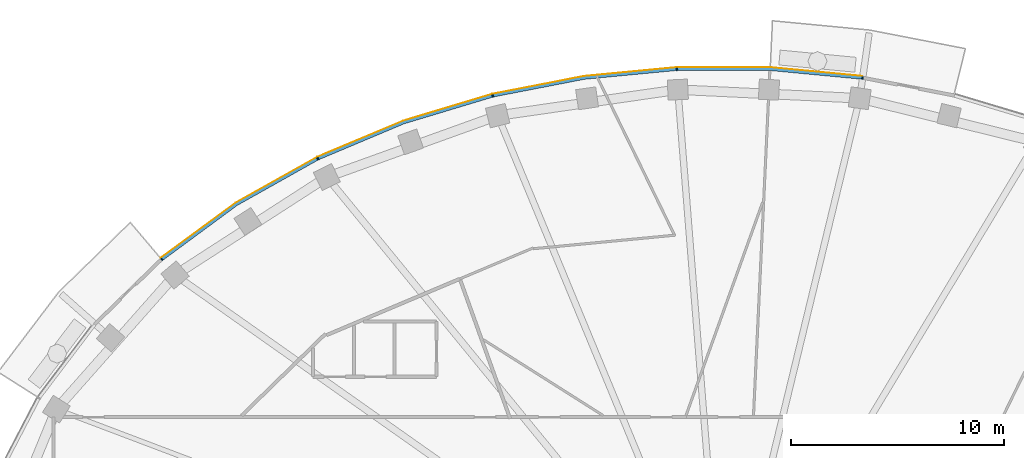
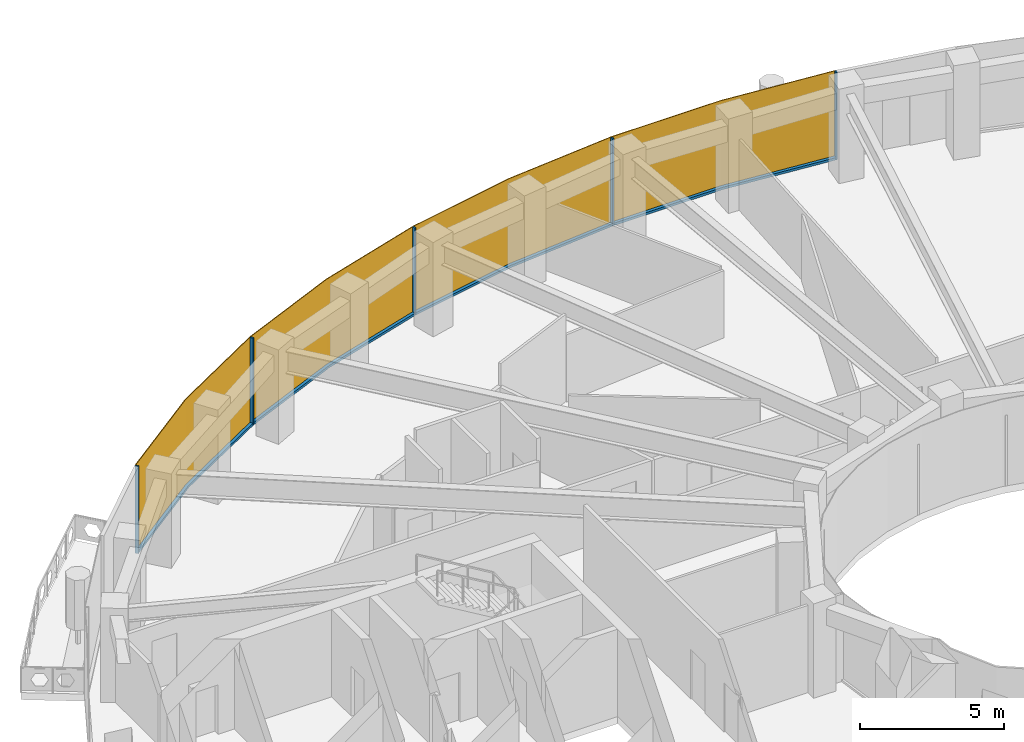
# One storey, part 11 of 16: 9 members, 1 curtain wall.
"""IFC4 building model written with IfcOpenShell, lengths in metres."""

from ifc_helpers import new_model, si_unit, direction, frame, origin, origin_2d, place, context, subcontext, project, spatial, polyline, rectangle, outline, extrude, material, layer, layer_set, material_profile, profile_set, type_object, element, aggregate, save


model = new_model("IFC4")

# Units and contexts
model_context = context("Model", 3, precision=1e-05, world=origin(), true_north=direction((0.0, 1.0)))
body_context = subcontext(model_context, "Body", "Model", "MODEL_VIEW")
ifc_project = project(units=[si_unit("LENGTHUNIT", "METRE"), si_unit("AREAUNIT", "SQUARE_METRE"), si_unit("VOLUMEUNIT", "CUBIC_METRE"), si_unit("PLANEANGLEUNIT", "RADIAN"), si_unit("MASSUNIT", "GRAM", prefix="KILO")], contexts=[model_context])

# Member
ifc_material_1 = material(Name="Aluminium 6063-T6 black anodised", Category="aluminium")
ifc_material_profile = material_profile(ifc_material_1, rectangle(XDim=0.1201171875, YDim=0.06005859375, at=origin_2d()), Name="120x60")
ifc_profile_set = profile_set([ifc_material_profile], Name="Aluminium 6063-T6 black anodised")
member_type_1 = type_object("IfcMemberType", Name="ENV-MULLION-A-120", PredefinedType="MULLION", material=ifc_profile_set)
site_placement = place(None, origin())
building_placement = place(site_placement, origin())
storey_placement = place(building_placement, frame((0.0, 0.0, 303.0)))
member_1_placement = place(storey_placement, frame((6.54638671875, 27.440185546875, 0.0), z_axis=(0.0, 0.0, 1.0), x_axis=(-0.143082012705, -0.989710835366, 0.0)))
member_1 = element("IfcMember", 1, at=member_1_placement, type_object=member_type_1, Name="Mullion A radial 11", PredefinedType="MULLION", context=body_context, shape_type="SweptSolid", body=[
    extrude(rectangle(XDim=0.1201171875, YDim=0.06005859375, at=origin_2d()), origin(), (0.0, 0.0, 1.0), 3.699951171875),
])

member_2_placement = place(storey_placement, frame((-2.188720703125, 27.856201171875, 0.0), z_axis=(0.0, 0.0, 1.0), x_axis=(0.047557873581, -0.998868484166, 0.0)))
member_2 = element("IfcMember", 2, at=member_2_placement, type_object=member_type_1, Name="Mullion A radial 13", PredefinedType="MULLION", context=body_context, shape_type="SweptSolid", body=[
    extrude(rectangle(XDim=0.1201171875, YDim=0.06005859375, at=origin_2d()), origin(), (0.0, 0.0, 1.0), 3.699951171875),
])

member_3_placement = place(storey_placement, frame((-10.84326171875, 26.60498046875, 0.0), z_axis=(0.0, 0.0, 1.0), x_axis=(0.239799081534, -0.970822538106, 0.0)))
member_3 = element("IfcMember", 3, at=member_3_placement, type_object=member_type_1, Name="Mullion A radial 15", PredefinedType="MULLION", context=body_context, shape_type="SweptSolid", body=[
    extrude(rectangle(XDim=0.1201171875, YDim=0.06005859375, at=origin_2d()), origin(), (0.0, 0.0, 1.0), 3.699951171875),
])

member_4_placement = place(storey_placement, frame((-19.06787109375, 23.6474609375, 0.0), z_axis=(0.0, 0.0, 1.0), x_axis=(0.439237769837, -0.898370848563, 0.0)))
member_4 = element("IfcMember", 4, at=member_4_placement, type_object=member_type_1, Name="Mullion A radial 17", PredefinedType="MULLION", context=body_context, shape_type="SweptSolid", body=[
    extrude(rectangle(XDim=0.1201171875, YDim=0.06005859375, at=origin_2d()), origin(), (0.0, 0.0, 1.0), 3.699951171875),
])

member_5_placement = place(storey_placement, frame((-26.403564453125, 18.9130859375, 0.0), z_axis=(0.0, 0.0, 1.0), x_axis=(0.646451313783, -0.762955240435, 0.0)))
member_5 = element("IfcMember", 5, at=member_5_placement, type_object=member_type_1, Name="Mullion A radial 19", PredefinedType="MULLION", context=body_context, shape_type="SweptSolid", body=[
    extrude(rectangle(XDim=0.1201171875, YDim=0.06005859375, at=origin_2d()), origin(), (0.0, 0.0, 1.0), 3.699951171875),
])

ifc_material_2 = material(Name="Aluminium 6063-T6 black anodised", Category="aluminium")
member_type_2 = type_object("IfcMemberType", Name="ENV-TRANSOM-A", PredefinedType="USERDEFINED", material=ifc_material_2)
member_6_placement = place(storey_placement, origin())
member_6 = element("IfcMember", 6, at=member_6_placement, type_object=member_type_2, Name="Transom A radial 11-13", ObjectType="TRANSOM", PredefinedType="USERDEFINED", context=body_context, shape_type="SweptSolid", body=[
    extrude(outline(polyline([(6.527099609375, 27.502197265625), (2.191650390625, 27.916015625), (-2.163818359375, 27.916015625), (-2.157958984375, 27.7958984375), (2.185791015625, 27.7958984375), (6.510009765625, 27.38330078125), (6.527099609375, 27.502197265625)])), origin(), (0.0, 0.0, 1.0), 0.10009765625),
])

member_7_placement = place(storey_placement, origin())
member_7 = element("IfcMember", 7, at=member_7_placement, type_object=member_type_2, Name="Transom A radial 13-15", ObjectType="TRANSOM", PredefinedType="USERDEFINED", context=body_context, shape_type="SweptSolid", body=[
    extrude(outline(polyline([(-2.219482421875, 27.913330078125), (-6.55517578125, 27.49951171875), (-10.830078125, 26.66845703125), (-10.80126953125, 26.552001953125), (-6.537841796875, 27.380615234375), (-2.2138671875, 27.793212890625), (-2.219482421875, 27.913330078125)])), origin(), (0.0, 0.0, 1.0), 0.10009765625),
])

member_8_placement = place(storey_placement, origin())
member_8 = element("IfcMember", 8, at=member_8_placement, type_object=member_type_2, Name="Transom A radial 15-17", ObjectType="TRANSOM", PredefinedType="USERDEFINED", context=body_context, shape_type="SweptSolid", body=[
    extrude(outline(polyline([(-10.884521484375, 26.655029296875), (-15.054443359375, 25.400146484375), (-19.068359375, 23.71240234375), (-19.015380859375, 23.604248046875), (-15.013916015625, 25.287109375), (-10.855712890625, 26.53857421875), (-10.884521484375, 26.655029296875)])), origin(), (0.0, 0.0, 1.0), 0.10009765625),
])

member_9_placement = place(storey_placement, origin())
member_9 = element("IfcMember", 9, at=member_9_placement, type_object=member_type_2, Name="Transom A radial 17-19", ObjectType="TRANSOM", PredefinedType="USERDEFINED", context=body_context, shape_type="SweptSolid", body=[
    extrude(outline(polyline([(-19.11865234375, 23.687744140625), (-22.9150390625, 21.556884765625), (-26.419921875, 18.975341796875), (-26.342041015625, 18.883544921875), (-22.85009765625, 21.455810546875), (-19.06591796875, 23.57958984375), (-19.11865234375, 23.687744140625)])), origin(), (0.0, 0.0, 1.0), 0.10009765625),
])

# Site, building, storey
site = spatial("IfcSite", under=ifc_project, at=site_placement, CompositionType="ELEMENT")
building = spatial("IfcBuilding", under=site, at=building_placement, Name="Noorbagh Ring Tower", CompositionType="ELEMENT")
storey = spatial("IfcBuildingStorey", under=building, at=storey_placement, Name="L65", CompositionType="ELEMENT", Elevation=303.0)

# Curtain wall
ifc_material_3 = material(Name="Glass dark tinted laminated", Category="glass")
ifc_layer = layer(ifc_material_3, 0.031982421875)
ifc_layer_set = layer_set([ifc_layer], Name="Glass dark tinted laminated")
curtain_wall_type = type_object("IfcCurtainWallType", Name="ENV-CW-A", PredefinedType="NOTDEFINED", material=ifc_layer_set)
curtain_wall_placement = place(storey_placement, origin())
curtain_wall = element("IfcCurtainWall", 10, at=curtain_wall_placement, inside=storey, type_object=curtain_wall_type, Name="Curtain wall A R11", PredefinedType="NOTDEFINED", context=body_context, shape_type="SweptSolid", body=[
    extrude(outline(polyline([(6.539794921875, 27.533203125), (2.193115234375, 27.947998046875), (-2.193115234375, 27.947998046875), (-6.559814453125, 27.53125), (-10.865234375, 26.6943359375), (-15.065185546875, 25.430419921875), (-19.108154296875, 23.730224609375), (-22.9326171875, 21.583740234375), (-26.447021484375, 18.9951171875), (-26.42626953125, 18.970703125), (-22.9150390625, 21.556884765625), (-19.093994140625, 23.701416015625), (-15.054443359375, 25.400146484375), (-10.857666015625, 26.6630859375), (-6.55517578125, 27.49951171875), (-2.191650390625, 27.916015625), (2.191650390625, 27.916015625), (6.53515625, 27.50146484375), (6.539794921875, 27.533203125)])), origin(), (0.0, 0.0, 1.0), 3.699951171875),
])

aggregate(curtain_wall, [member_1, member_2, member_3, member_4, member_5, member_6, member_7, member_8, member_9])

save(model, "model.ifc")
